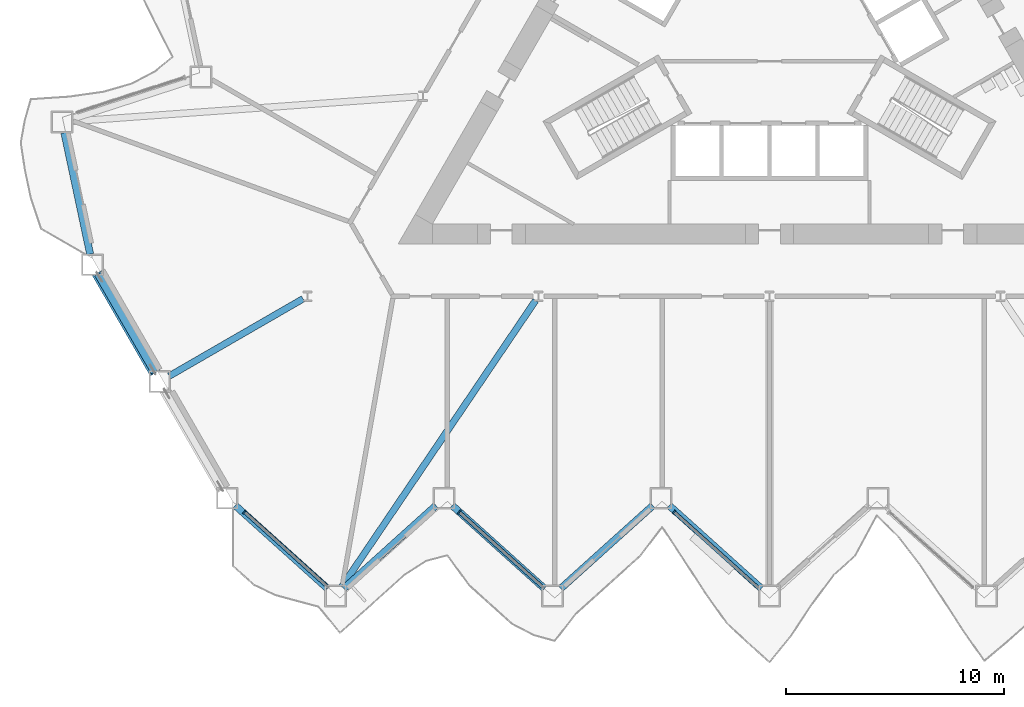
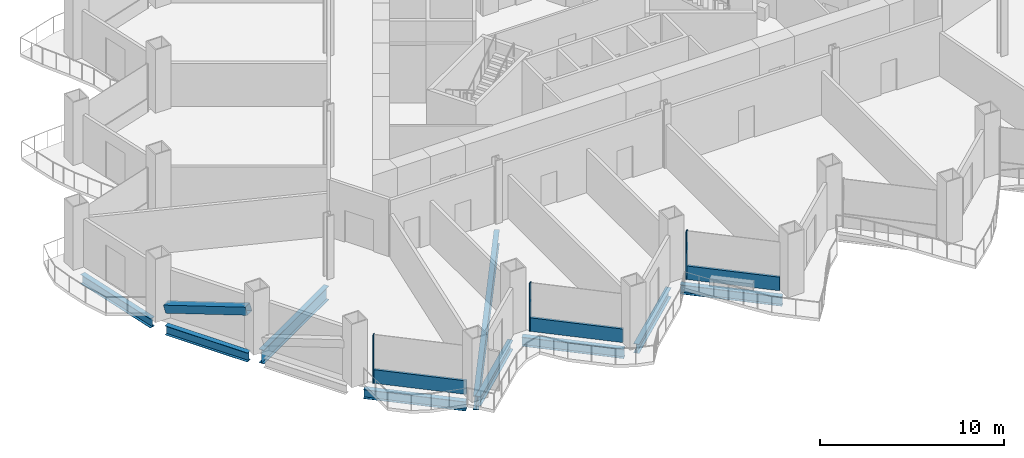
# One storey, part 2 of 21: 9 beams, 7 members, 3 elements without a shape of their own.
"""IFC4 building model written with IfcOpenShell, lengths in metres."""

from ifc_helpers import new_model, si_unit, direction, frame, origin, origin_2d, place, context, subcontext, project, spatial, rectangle, hollow_rectangle, i_section, extrude, material, layer, layer_set, material_profile, profile_set, type_object, element, aggregate, save


model = new_model("IFC4")

# Units and contexts
model_context = context("Model", 3, precision=1e-05, world=origin(), true_north=direction((0.0, 1.0)))
body_context = subcontext(model_context, "Body", "Model", "MODEL_VIEW")
ifc_project = project(units=[si_unit("LENGTHUNIT", "METRE"), si_unit("AREAUNIT", "SQUARE_METRE"), si_unit("VOLUMEUNIT", "CUBIC_METRE"), si_unit("PLANEANGLEUNIT", "RADIAN"), si_unit("MASSUNIT", "GRAM", prefix="KILO")], contexts=[model_context])

# Site, building, storey
site_placement = place(None, origin())
site = spatial("IfcSite", under=ifc_project, at=site_placement, CompositionType="ELEMENT")
building_placement = place(site_placement, origin())
building = spatial("IfcBuilding", under=site, at=building_placement, Name="Cormorant Prow Tower", CompositionType="ELEMENT")
storey_placement = place(building_placement, frame((0.0, 0.0, 72.0)))
storey = spatial("IfcBuildingStorey", under=building, at=storey_placement, Name="L15", CompositionType="ELEMENT", Elevation=72.0)

# Member
ifc_material_1 = material(Name="Structural steel ASTM A500 Gr C", Category="steel")
ifc_material_profile_1 = material_profile(ifc_material_1, hollow_rectangle(XDim=0.508056640625, YDim=0.508056640625, WallThickness=0.014892578125, at=origin_2d()), Name="HSS20x20x5/8")
ifc_profile_set_1 = profile_set([ifc_material_profile_1], Name="Structural steel ASTM A500 Gr C")
member_type_1 = type_object("IfcMemberType", Name="Chamfer brace HSS20x20x5/8", PredefinedType="BRACE", material=ifc_profile_set_1)
member_1_placement = place(storey_placement, frame((-30.74072265625, -11.222900390625, 0.767333984375), z_axis=(0.475881936113, -0.824270433724, 0.306781086395), x_axis=(0.866030326616, 0.499991473309, 0.0)))
element("IfcMember", 1, at=member_1_placement, inside=storey, type_object=member_type_1, Name="Chamfer brace BR1 at WSW00 L15", PredefinedType="BRACE", context=body_context, shape_type="SweptSolid", body=[
    extrude(hollow_rectangle(XDim=0.508056640625, YDim=0.508056640625, WallThickness=0.014892578125, at=origin_2d()), origin(), (0.0, 0.0, 1.0), 5.392333984375),
])

# Curtain wall, member
ifc_material_2 = material(Name="Aluminium 6063-T6", Category="aluminium")
ifc_layer = layer(ifc_material_2, 0.199951171875)
ifc_layer_set = layer_set([ifc_layer], Name="Aluminium 6063-T6")
curtain_wall_type = type_object("IfcCurtainWallType", Name="Office unitised curtain wall 200", PredefinedType="NOTDEFINED", material=ifc_layer_set)
curtain_wall_1_placement = place(storey_placement, origin())
curtain_wall_1 = element("IfcCurtainWall", 2, at=curtain_wall_1_placement, inside=storey, type_object=curtain_wall_type, Name="Office curtain wall S00", PredefinedType="NOTDEFINED")
ifc_material_3 = material(Name="Aluminium 6063-T6", Category="aluminium")
ifc_material_profile_2 = material_profile(ifc_material_3, rectangle(XDim=0.199951171875, YDim=0.06005859375, at=origin_2d()), Name="Office mullion 60x200")
ifc_profile_set_2 = profile_set([ifc_material_profile_2], Name="Aluminium 6063-T6")
member_type_2 = type_object("IfcMemberType", Name="Office mullion 60x200", PredefinedType="MULLION", material=ifc_profile_set_2)
member_2_placement = place(storey_placement, frame((-24.04052734375, -22.092041015625, 0.0), z_axis=(0.0, 0.0, 1.0), x_axis=(0.669130614945, 0.743144817746, 0.0)))
member_2 = element("IfcMember", 3, at=member_2_placement, type_object=member_type_2, Name="Office mullion S00", PredefinedType="MULLION", context=body_context, shape_type="SweptSolid", body=[
    extrude(rectangle(XDim=0.199951171875, YDim=0.06005859375, at=origin_2d()), origin(), (0.0, 0.0, 1.0), 3.18896484375),
])

curtain_wall_2_placement = place(storey_placement, origin())
curtain_wall_2 = element("IfcCurtainWall", 4, at=curtain_wall_2_placement, inside=storey, type_object=curtain_wall_type, Name="Office curtain wall S02", PredefinedType="NOTDEFINED")
member_3_placement = place(storey_placement, frame((-14.206298828125, -22.092041015625, 0.0), z_axis=(0.0, 0.0, 1.0), x_axis=(0.669130614945, 0.743144817746, 0.0)))
member_3 = element("IfcMember", 5, at=member_3_placement, type_object=member_type_2, Name="Office mullion S02", PredefinedType="MULLION", context=body_context, shape_type="SweptSolid", body=[
    extrude(rectangle(XDim=0.199951171875, YDim=0.06005859375, at=origin_2d()), origin(), (0.0, 0.0, 1.0), 3.18896484375),
])

curtain_wall_3_placement = place(storey_placement, origin())
curtain_wall_3 = element("IfcCurtainWall", 6, at=curtain_wall_3_placement, inside=storey, type_object=curtain_wall_type, Name="Office curtain wall S04", PredefinedType="NOTDEFINED")
member_4_placement = place(storey_placement, frame((-4.372314453125, -22.092041015625, 0.0), z_axis=(0.0, 0.0, 1.0), x_axis=(0.669130614945, 0.743144817746, 0.0)))
member_4 = element("IfcMember", 7, at=member_4_placement, type_object=member_type_2, Name="Office mullion S04", PredefinedType="MULLION", context=body_context, shape_type="SweptSolid", body=[
    extrude(rectangle(XDim=0.199951171875, YDim=0.06005859375, at=origin_2d()), origin(), (0.0, 0.0, 1.0), 3.18896484375),
])

# Member
ifc_material_4 = material(Name="Terracotta", Category="masonry")
ifc_material_profile_3 = material_profile(ifc_material_4, rectangle(XDim=0.159912109375, YDim=0.89990234375, at=origin_2d()), Name="Office terracotta spandrel rail 160x900")
ifc_profile_set_3 = profile_set([ifc_material_profile_3], Name="Terracotta")
member_type_3 = type_object("IfcMemberType", Name="Office terracotta spandrel rail 160x900", PredefinedType="USERDEFINED", material=ifc_profile_set_3)
member_5_placement = place(storey_placement, frame((-24.01806640625, -22.112060546875, 0.449951171875), z_axis=(0.743157426454, -0.669116611291, 0.0), x_axis=(0.669116611291, 0.743157426454, 0.0)))
member_5 = element("IfcMember", 8, at=member_5_placement, type_object=member_type_3, Name="Office spandrel rail S00", ObjectType="TRANSOM", PredefinedType="USERDEFINED", context=body_context, shape_type="SweptSolid", body=[
    extrude(rectangle(XDim=0.159912109375, YDim=0.89990234375, at=origin_2d()), origin(), (0.0, 0.0, 1.0), 5.150390625),
])

aggregate(curtain_wall_1, [member_2, member_5])

member_6_placement = place(storey_placement, frame((-14.18408203125, -22.112060546875, 0.449951171875), z_axis=(0.743157426454, -0.669116611291, 0.0), x_axis=(0.669116611291, 0.743157426454, 0.0)))
member_6 = element("IfcMember", 9, at=member_6_placement, type_object=member_type_3, Name="Office spandrel rail S02", ObjectType="TRANSOM", PredefinedType="USERDEFINED", context=body_context, shape_type="SweptSolid", body=[
    extrude(rectangle(XDim=0.159912109375, YDim=0.89990234375, at=origin_2d()), origin(), (0.0, 0.0, 1.0), 5.150390625),
])

aggregate(curtain_wall_2, [member_3, member_6])

member_7_placement = place(storey_placement, frame((-4.35009765625, -22.112060546875, 0.449951171875), z_axis=(0.743157426454, -0.669116611291, 0.0), x_axis=(0.669116611291, 0.743157426454, 0.0)))
member_7 = element("IfcMember", 10, at=member_7_placement, type_object=member_type_3, Name="Office spandrel rail S04", ObjectType="TRANSOM", PredefinedType="USERDEFINED", context=body_context, shape_type="SweptSolid", body=[
    extrude(rectangle(XDim=0.159912109375, YDim=0.89990234375, at=origin_2d()), origin(), (0.0, 0.0, 1.0), 5.150390625),
])

aggregate(curtain_wall_3, [member_4, member_7])

# Beams
ifc_material_5 = material(Name="Structural steel ASTM A992 Gr 50", Category="steel")
ifc_material_profile_4 = material_profile(ifc_material_5, i_section(OverallWidth=0.3046875, OverallDepth=0.914794921875, WebThickness=0.0166015625, FlangeThickness=0.02587890625, at=origin_2d()), Name="W36x160")
ifc_profile_set_4 = profile_set([ifc_material_profile_4], Name="Structural steel ASTM A992 Gr 50")
beam_type_1 = type_object("IfcBeamType", Name="Radial floor beam W36x160", PredefinedType="BEAM", material=ifc_profile_set_4)
beam_1_placement = place(storey_placement, frame((-21.358154296875, -12.3310546875, -0.857421875), z_axis=(-0.866014253463, -0.500019312426, 0.0), x_axis=(0.500019312426, -0.866014253463, 0.0)))
element("IfcBeam", 11, at=beam_1_placement, inside=storey, type_object=beam_type_1, Name="Radial floor beam FB1 5 L15", PredefinedType="BEAM", context=body_context, shape_type="SweptSolid", body=[
    extrude(i_section(OverallWidth=0.3046875, OverallDepth=0.914794921875, WebThickness=0.0166015625, FlangeThickness=0.02587890625, at=origin_2d()), origin(), (0.0, 0.0, 1.0), 7.071533203125),
])
beam_2_placement = place(storey_placement, frame((-10.708740234375, -12.4072265625, -0.857421875), z_axis=(-0.560597160775, -0.828088656685, 0.0), x_axis=(0.828088656685, -0.560597160775, 0.0)))
element("IfcBeam", 12, at=beam_2_placement, inside=storey, type_object=beam_type_1, Name="Radial floor beam FB1 6 L15", PredefinedType="BEAM", context=body_context, shape_type="SweptSolid", body=[
    extrude(i_section(OverallWidth=0.3046875, OverallDepth=0.914794921875, WebThickness=0.0166015625, FlangeThickness=0.02587890625, at=origin_2d()), origin(), (0.0, 0.0, 1.0), 15.831787109375),
])
ifc_material_6 = material(Name="Structural steel ASTM A992 Gr 50", Category="steel")
ifc_material_profile_5 = material_profile(ifc_material_6, i_section(OverallWidth=0.32373046875, OverallDepth=0.611083984375, WebThickness=0.0126953125, FlangeThickness=0.01904296875, at=origin_2d()), Name="W24x104")
ifc_profile_set_5 = profile_set([ifc_material_profile_5], Name="Structural steel ASTM A992 Gr 50")
beam_type_2 = type_object("IfcBeamType", Name="Spandrel beam W24x104", PredefinedType="SPANDREL", material=ifc_profile_set_5)
for number, where, z_axis, x_axis, name in (
    (13, (-24.458740234375, -21.79443359375, -0.70556640625), (0.743129630386, -0.669147481833, 0.0), (0.669147481833, 0.743129630386, 0.0), "Spandrel beam SB1 S00-S01 L15"),
    (14, (-19.49267578125, -25.596923828125, -0.70556640625), (0.743129630386, 0.669147481833, 0.0), (-0.669147481833, 0.743129630386, 0.0), "Spandrel beam SB1 S01-S02 L15"),
    (15, (-14.526611328125, -21.79443359375, -0.70556640625), (0.743129630386, -0.669147481833, 0.0), (0.669147481833, 0.743129630386, 0.0), "Spandrel beam SB1 S02-S03 L15"),
    (16, (-9.560546875, -25.596923828125, -0.70556640625), (0.743129630386, 0.669147481833, 0.0), (-0.669147481833, 0.743129630386, 0.0), "Spandrel beam SB1 S03-S04 L15"),
    (17, (-4.594482421875, -21.79443359375, -0.70556640625), (0.743129630386, -0.669147481833, 0.0), (0.669147481833, 0.743129630386, 0.0), "Spandrel beam SB1 S04-S05 L15"),
    (18, (-32.285400390625, -4.726318359375, -0.70556640625), (0.207900376723, -0.97815000555, 0.0), (0.97815000555, 0.207900376723, 0.0), "Spandrel beam SB1 WNW09-WSW00 L15"),
):
    element("IfcBeam", number, at=place(storey_placement, frame(where, z_axis=z_axis, x_axis=x_axis)), inside=storey, type_object=beam_type_2, Name=name, PredefinedType="SPANDREL", context=body_context, shape_type="SweptSolid", body=[
        extrude(i_section(OverallWidth=0.32373046875, OverallDepth=0.611083984375, WebThickness=0.0126953125, FlangeThickness=0.01904296875, at=origin_2d()), origin(), (0.0, 0.0, 1.0), 5.6826171875),
    ])
beam_3_placement = place(storey_placement, frame((-30.75, -11.206787109375, -0.70556640625), z_axis=(0.49998408811, -0.866034590324, 0.0), x_axis=(0.866034590324, 0.49998408811, 0.0)))
element("IfcBeam", 19, at=beam_3_placement, inside=storey, type_object=beam_type_2, Name="Spandrel beam SB1 WSW00-WSW01 L15", PredefinedType="SPANDREL", context=body_context, shape_type="SweptSolid", body=[
    extrude(i_section(OverallWidth=0.32373046875, OverallDepth=0.611083984375, WebThickness=0.0126953125, FlangeThickness=0.01904296875, at=origin_2d()), origin(), (0.0, 0.0, 1.0), 5.169677734375),
])

save(model, "model.ifc")
